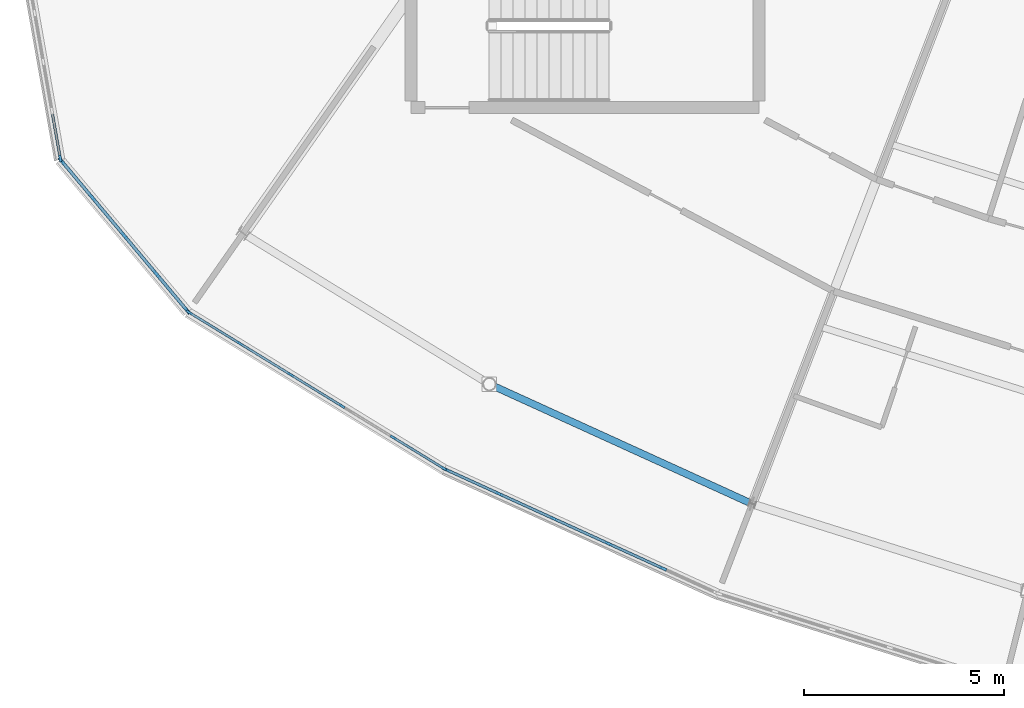
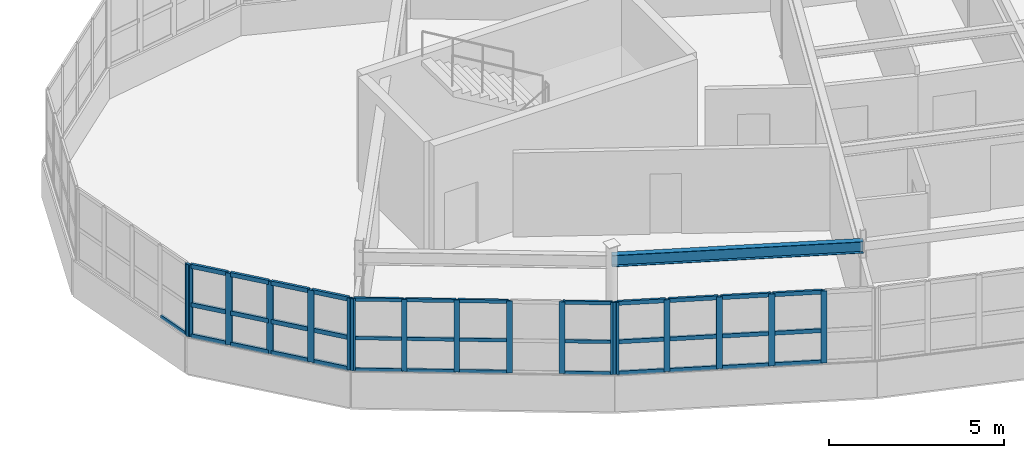
# One storey, part 13 of 65: 54 members, 1 beam, 4 elements without a shape of their own.
"""IFC4 building model written with IfcOpenShell, lengths in metres."""

from ifc_helpers import new_model, si_unit, direction, frame, origin, origin_2d, place, context, subcontext, project, spatial, rectangle, i_section, extrude, material, layer, layer_set, material_profile, profile_set, type_object, element, aggregate, save


model = new_model("IFC4")

# Units and contexts
model_context = context("Model", 3, precision=1e-05, world=origin(), true_north=direction((0.0, 1.0)))
body_context = subcontext(model_context, "Body", "Model", "MODEL_VIEW")
ifc_project = project(units=[si_unit("LENGTHUNIT", "METRE"), si_unit("AREAUNIT", "SQUARE_METRE"), si_unit("VOLUMEUNIT", "CUBIC_METRE"), si_unit("PLANEANGLEUNIT", "RADIAN"), si_unit("MASSUNIT", "GRAM", prefix="KILO")], contexts=[model_context])

# Site, building, storey
site_placement = place(None, origin())
site = spatial("IfcSite", under=ifc_project, at=site_placement, CompositionType="ELEMENT")
building_placement = place(site_placement, origin())
building = spatial("IfcBuilding", under=site, at=building_placement, Name="Tarnwether General Hospital", CompositionType="ELEMENT")
storey_placement = place(building_placement, frame((0.0, 0.0, 22.199951171875)))
storey = spatial("IfcBuildingStorey", under=building, at=storey_placement, Name="L05", CompositionType="ELEMENT", Elevation=22.199951171875)

# Beam
ifc_material_1 = material(Name="Steel Grade 350 (350 MPa)", Category="steel")
ifc_material_profile_1 = material_profile(ifc_material_1, i_section(OverallWidth=0.177978515625, OverallDepth=0.403076171875, WebThickness=0.007568359375, FlangeThickness=0.010986328125, at=origin_2d()), Name="410UB53.7")
ifc_profile_set_1 = profile_set([ifc_material_profile_1], Name="Steel Grade 350 (350 MPa)")
beam_type = type_object("IfcBeamType", Name="BM-SP2", PredefinedType="SPANDREL", material=ifc_profile_set_1)
beam_placement = place(storey_placement, frame((64.20703125, 10.72998046875, 3.358642578125), z_axis=(0.909943842177, -0.414731484316, 0.0), x_axis=(0.414731484316, 0.909943842177, 0.0)))
element("IfcBeam", 1, at=beam_placement, inside=storey, type_object=beam_type, Name="Curved Ward SE Outer Spandrel BMG-L05-6421_1073-7078_773-2172", PredefinedType="SPANDREL", context=body_context, shape_type="SweptSolid", body=[
    extrude(i_section(OverallWidth=0.177978515625, OverallDepth=0.403076171875, WebThickness=0.007568359375, FlangeThickness=0.010986328125, at=origin_2d()), origin(), (0.0, 0.0, 1.0), 7.22900390625),
])

# Curtain wall, members
ifc_material_2 = material(Name="Anodised aluminium", Category="aluminium")
ifc_layer_1 = layer(ifc_material_2, 0.159912109375)
ifc_layer_set_1 = layer_set([ifc_layer_1], Name="Anodised aluminium")
curtain_wall_type_1 = type_object("IfcCurtainWallType", Name="CW-10", PredefinedType="NOTDEFINED", material=ifc_layer_set_1)
curtain_wall_1_placement = place(storey_placement, origin())
curtain_wall_1 = element("IfcCurtainWall", 2, at=curtain_wall_1_placement, inside=storey, type_object=curtain_wall_type_1, Name="Curtain Wall CWG-L05-631_86-0218", PredefinedType="NOTDEFINED")
ifc_material_3 = material(Name="Anodised aluminium", Category="aluminium")
ifc_material_profile_2 = material_profile(ifc_material_3, rectangle(XDim=0.06005859375, YDim=0.159912109375, at=origin_2d()), Name="ALU-MUL-60x160")
ifc_profile_set_2 = profile_set([ifc_material_profile_2], Name="Anodised aluminium")
member_type_1 = type_object("IfcMemberType", Name="CW-ML1", PredefinedType="MULLION", material=ifc_profile_set_2)
member_1_placement = place(storey_placement, frame((63.055419921875, 8.625732421875, 1.050048828125), z_axis=(0.0, 0.0, 1.0), x_axis=(-0.522509056361, -0.852633734977, 0.0)))
member_1 = element("IfcMember", 3, at=member_1_placement, type_object=member_type_1, Name="CW-10 mullion 1", PredefinedType="MULLION", context=body_context, shape_type="SweptSolid", body=[
    extrude(rectangle(XDim=0.06005859375, YDim=0.159912109375, at=origin_2d()), origin(), (0.0, 0.0, 1.0), 2.510009765625),
])
member_2_placement = place(storey_placement, frame((61.79833984375, 9.39599609375, 1.050048828125), z_axis=(0.0, 0.0, 1.0), x_axis=(-0.522509056361, -0.852633734977, 0.0)))
member_2 = element("IfcMember", 4, at=member_2_placement, type_object=member_type_1, Name="CW-10 mullion 2", PredefinedType="MULLION", context=body_context, shape_type="SweptSolid", body=[
    extrude(rectangle(XDim=0.06005859375, YDim=0.159912109375, at=origin_2d()), origin(), (0.0, 0.0, 1.0), 2.510009765625),
])
member_3_placement = place(storey_placement, frame((60.515869140625, 10.181884765625, 1.050048828125), z_axis=(0.0, 0.0, 1.0), x_axis=(-0.522509056361, -0.852633734977, 0.0)))
member_3 = element("IfcMember", 5, at=member_3_placement, type_object=member_type_1, Name="CW-10 mullion 3", PredefinedType="MULLION", context=body_context, shape_type="SweptSolid", body=[
    extrude(rectangle(XDim=0.06005859375, YDim=0.159912109375, at=origin_2d()), origin(), (0.0, 0.0, 1.0), 2.510009765625),
])
member_4_placement = place(storey_placement, frame((59.233154296875, 10.968017578125, 1.050048828125), z_axis=(0.0, 0.0, 1.0), x_axis=(-0.522509056361, -0.852633734977, 0.0)))
member_4 = element("IfcMember", 6, at=member_4_placement, type_object=member_type_1, Name="CW-10 mullion 4", PredefinedType="MULLION", context=body_context, shape_type="SweptSolid", body=[
    extrude(rectangle(XDim=0.06005859375, YDim=0.159912109375, at=origin_2d()), origin(), (0.0, 0.0, 1.0), 2.510009765625),
])
member_5_placement = place(storey_placement, frame((57.95068359375, 11.75390625, 1.050048828125), z_axis=(0.0, 0.0, 1.0), x_axis=(-0.522509056361, -0.852633734977, 0.0)))
member_5 = element("IfcMember", 7, at=member_5_placement, type_object=member_type_1, Name="CW-10 mullion 5", PredefinedType="MULLION", context=body_context, shape_type="SweptSolid", body=[
    extrude(rectangle(XDim=0.06005859375, YDim=0.159912109375, at=origin_2d()), origin(), (0.0, 0.0, 1.0), 2.510009765625),
])
member_6_placement = place(storey_placement, frame((56.693603515625, 12.5244140625, 1.050048828125), z_axis=(0.0, 0.0, 1.0), x_axis=(-0.522509056361, -0.852633734977, 0.0)))
member_6 = element("IfcMember", 8, at=member_6_placement, type_object=member_type_1, Name="CW-10 mullion 6", PredefinedType="MULLION", context=body_context, shape_type="SweptSolid", body=[
    extrude(rectangle(XDim=0.06005859375, YDim=0.159912109375, at=origin_2d()), origin(), (0.0, 0.0, 1.0), 2.510009765625),
])

curtain_wall_2_placement = place(storey_placement, origin())
curtain_wall_2 = element("IfcCurtainWall", 9, at=curtain_wall_2_placement, inside=storey, type_object=curtain_wall_type_1, Name="Curtain Wall CWG-L05-699_55-0219", PredefinedType="NOTDEFINED")
ifc_material_4 = material(Name="Anodised aluminium", Category="aluminium")
ifc_material_profile_3 = material_profile(ifc_material_4, rectangle(XDim=0.070068359375, YDim=0.179931640625, at=origin_2d()), Name="ALU-MUL-70x180")
ifc_profile_set_3 = profile_set([ifc_material_profile_3], Name="Anodised aluminium")
member_type_2 = type_object("IfcMemberType", Name="CW-ML2", PredefinedType="MULLION", material=ifc_profile_set_3)
member_7_placement = place(storey_placement, frame((68.55615234375, 6.11474609375, 1.050048828125), z_axis=(0.0, 0.0, 1.0), x_axis=(-0.414694289316, -0.909960793886, 0.0)))
member_7 = element("IfcMember", 10, at=member_7_placement, type_object=member_type_2, Name="CW-10 mullion 2", PredefinedType="MULLION", context=body_context, shape_type="SweptSolid", body=[
    extrude(rectangle(XDim=0.070068359375, YDim=0.179931640625, at=origin_2d()), origin(), (0.0, 0.0, 1.0), 2.510009765625),
])
member_8_placement = place(storey_placement, frame((67.1875, 6.738525390625, 1.050048828125), z_axis=(0.0, 0.0, 1.0), x_axis=(-0.414694289316, -0.909960793886, 0.0)))
member_8 = element("IfcMember", 11, at=member_8_placement, type_object=member_type_2, Name="CW-10 mullion 3", PredefinedType="MULLION", context=body_context, shape_type="SweptSolid", body=[
    extrude(rectangle(XDim=0.070068359375, YDim=0.179931640625, at=origin_2d()), origin(), (0.0, 0.0, 1.0), 2.510009765625),
])
member_9_placement = place(storey_placement, frame((65.818603515625, 7.3623046875, 1.050048828125), z_axis=(0.0, 0.0, 1.0), x_axis=(-0.414694289316, -0.909960793886, 0.0)))
member_9 = element("IfcMember", 12, at=member_9_placement, type_object=member_type_2, Name="CW-10 mullion 4", PredefinedType="MULLION", context=body_context, shape_type="SweptSolid", body=[
    extrude(rectangle(XDim=0.070068359375, YDim=0.179931640625, at=origin_2d()), origin(), (0.0, 0.0, 1.0), 2.510009765625),
])
member_10_placement = place(storey_placement, frame((64.44970703125, 7.986083984375, 1.050048828125), z_axis=(0.0, 0.0, 1.0), x_axis=(-0.414694289316, -0.909960793886, 0.0)))
member_10 = element("IfcMember", 13, at=member_10_placement, type_object=member_type_2, Name="CW-10 mullion 5", PredefinedType="MULLION", context=body_context, shape_type="SweptSolid", body=[
    extrude(rectangle(XDim=0.070068359375, YDim=0.179931640625, at=origin_2d()), origin(), (0.0, 0.0, 1.0), 2.510009765625),
])
member_11_placement = place(storey_placement, frame((63.11279296875, 8.595458984375, 1.050048828125), z_axis=(0.0, 0.0, 1.0), x_axis=(-0.414694289316, -0.909960793886, 0.0)))
member_11 = element("IfcMember", 14, at=member_11_placement, type_object=member_type_2, Name="CW-10 mullion 6", PredefinedType="MULLION", context=body_context, shape_type="SweptSolid", body=[
    extrude(rectangle(XDim=0.070068359375, YDim=0.179931640625, at=origin_2d()), origin(), (0.0, 0.0, 1.0), 2.510009765625),
])

# Curtain wall, member
ifc_material_5 = material(Name="Anodised aluminium", Category="aluminium")
ifc_layer_2 = layer(ifc_material_5, 0.159912109375)
ifc_layer_set_2 = layer_set([ifc_layer_2], Name="Anodised aluminium")
curtain_wall_type_2 = type_object("IfcCurtainWallType", Name="CW-04", PredefinedType="NOTDEFINED", material=ifc_layer_set_2)
curtain_wall_3_placement = place(storey_placement, origin())
curtain_wall_3 = element("IfcCurtainWall", 15, at=curtain_wall_3_placement, inside=storey, type_object=curtain_wall_type_2, Name="Curtain Wall CWG-L05-535_163-0243", PredefinedType="NOTDEFINED")
ifc_material_6 = material(Name="Anodised aluminium", Category="aluminium")
ifc_material_profile_4 = material_profile(ifc_material_6, rectangle(XDim=0.06494140625, YDim=0.169921875, at=origin_2d()), Name="ALU-MUL-65x170")
ifc_profile_set_4 = profile_set([ifc_material_profile_4], Name="Anodised aluminium")
member_type_3 = type_object("IfcMemberType", Name="CW-ML3", PredefinedType="MULLION", material=ifc_profile_set_4)
member_12_placement = place(storey_placement, frame((53.46728515625, 16.37890625, 1.050048828125), z_axis=(0.0, 0.0, 1.0), x_axis=(-0.984840230098, -0.173463890135, 0.0)))
member_12 = element("IfcMember", 16, at=member_12_placement, type_object=member_type_3, Name="CW-04 mullion 1", PredefinedType="MULLION", context=body_context, shape_type="SweptSolid", body=[
    extrude(rectangle(XDim=0.06494140625, YDim=0.169921875, at=origin_2d()), origin(), (0.0, 0.0, 1.0), 2.510009765625),
])

# Curtain wall, members
curtain_wall_4_placement = place(storey_placement, origin())
curtain_wall_4 = element("IfcCurtainWall", 17, at=curtain_wall_4_placement, inside=storey, type_object=curtain_wall_type_2, Name="Curtain Wall CWG-L05-567_125-0244", PredefinedType="NOTDEFINED")
ifc_material_7 = material(Name="Anodised aluminium", Category="aluminium")
ifc_material_profile_5 = material_profile(ifc_material_7, rectangle(XDim=0.080078125, YDim=0.199951171875, at=origin_2d()), Name="ALU-MUL-80x200")
ifc_profile_set_5 = profile_set([ifc_material_profile_5], Name="Anodised aluminium")
member_type_4 = type_object("IfcMemberType", Name="CW-ML4", PredefinedType="MULLION", material=ifc_profile_set_5)
member_13_placement = place(storey_placement, frame((56.642333984375, 12.570556640625, 1.050048828125), z_axis=(0.0, 0.0, 1.0), x_axis=(-0.765990176896, -0.64285227611, 0.0)))
member_13 = element("IfcMember", 18, at=member_13_placement, type_object=member_type_4, Name="CW-04 mullion 1", PredefinedType="MULLION", context=body_context, shape_type="SweptSolid", body=[
    extrude(rectangle(XDim=0.080078125, YDim=0.199951171875, at=origin_2d()), origin(), (0.0, 0.0, 1.0), 2.510009765625),
])
member_14_placement = place(storey_placement, frame((55.869140625, 13.49169921875, 1.050048828125), z_axis=(0.0, 0.0, 1.0), x_axis=(-0.765990176896, -0.64285227611, 0.0)))
member_14 = element("IfcMember", 19, at=member_14_placement, type_object=member_type_4, Name="CW-04 mullion 2", PredefinedType="MULLION", context=body_context, shape_type="SweptSolid", body=[
    extrude(rectangle(XDim=0.080078125, YDim=0.199951171875, at=origin_2d()), origin(), (0.0, 0.0, 1.0), 2.510009765625),
])
member_15_placement = place(storey_placement, frame((55.070556640625, 14.443603515625, 1.050048828125), z_axis=(0.0, 0.0, 1.0), x_axis=(-0.765990176896, -0.64285227611, 0.0)))
member_15 = element("IfcMember", 20, at=member_15_placement, type_object=member_type_4, Name="CW-04 mullion 3", PredefinedType="MULLION", context=body_context, shape_type="SweptSolid", body=[
    extrude(rectangle(XDim=0.080078125, YDim=0.199951171875, at=origin_2d()), origin(), (0.0, 0.0, 1.0), 2.510009765625),
])
member_16_placement = place(storey_placement, frame((54.271728515625, 15.395263671875, 1.050048828125), z_axis=(0.0, 0.0, 1.0), x_axis=(-0.765990176896, -0.64285227611, 0.0)))
member_16 = element("IfcMember", 21, at=member_16_placement, type_object=member_type_4, Name="CW-04 mullion 4", PredefinedType="MULLION", context=body_context, shape_type="SweptSolid", body=[
    extrude(rectangle(XDim=0.080078125, YDim=0.199951171875, at=origin_2d()), origin(), (0.0, 0.0, 1.0), 2.510009765625),
])
member_17_placement = place(storey_placement, frame((53.498779296875, 16.31640625, 1.050048828125), z_axis=(0.0, 0.0, 1.0), x_axis=(-0.765990176896, -0.64285227611, 0.0)))
member_17 = element("IfcMember", 22, at=member_17_placement, type_object=member_type_4, Name="CW-04 mullion 5", PredefinedType="MULLION", context=body_context, shape_type="SweptSolid", body=[
    extrude(rectangle(XDim=0.080078125, YDim=0.199951171875, at=origin_2d()), origin(), (0.0, 0.0, 1.0), 2.510009765625),
])

# Member
ifc_material_8 = material(Name="Anodised aluminium", Category="aluminium")
ifc_material_profile_6 = material_profile(ifc_material_8, rectangle(XDim=0.06005859375, YDim=0.1201171875, at=origin_2d()), Name="ALU-TRN-60x120")
ifc_profile_set_6 = profile_set([ifc_material_profile_6], Name="Anodised aluminium")
member_type_5 = type_object("IfcMemberType", Name="CW-TR1", PredefinedType="USERDEFINED", material=ifc_profile_set_6)
member_18_placement = place(storey_placement, frame((63.02978515625, 8.641357421875, 1.080078125), z_axis=(-0.852611176426, 0.522545865771, 0.0), x_axis=(-0.522545865771, -0.852611176426, 0.0)))
member_18 = element("IfcMember", 23, at=member_18_placement, type_object=member_type_5, Name="CW-10 transom 1.1", ObjectType="TRANSOM", PredefinedType="USERDEFINED", context=body_context, shape_type="SweptSolid", body=[
    extrude(rectangle(XDim=0.06005859375, YDim=0.1201171875, at=origin_2d()), origin(), (0.0, 0.0, 1.0), 1.414306640625),
])

member_19_placement = place(storey_placement, frame((63.02978515625, 8.641357421875, 2.179443359375), z_axis=(-0.852611176426, 0.522545865771, 0.0), x_axis=(-0.522545865771, -0.852611176426, 0.0)))
member_19 = element("IfcMember", 24, at=member_19_placement, type_object=member_type_5, Name="CW-10 transom 1.2", ObjectType="TRANSOM", PredefinedType="USERDEFINED", context=body_context, shape_type="SweptSolid", body=[
    extrude(rectangle(XDim=0.06005859375, YDim=0.1201171875, at=origin_2d()), origin(), (0.0, 0.0, 1.0), 1.414306640625),
])

member_20_placement = place(storey_placement, frame((63.02978515625, 8.641357421875, 3.530029296875), z_axis=(-0.852611176426, 0.522545865771, 0.0), x_axis=(-0.522545865771, -0.852611176426, 0.0)))
member_20 = element("IfcMember", 25, at=member_20_placement, type_object=member_type_5, Name="CW-10 transom 1.3", ObjectType="TRANSOM", PredefinedType="USERDEFINED", context=body_context, shape_type="SweptSolid", body=[
    extrude(rectangle(XDim=0.06005859375, YDim=0.1201171875, at=origin_2d()), origin(), (0.0, 0.0, 1.0), 1.414306640625),
])

member_21_placement = place(storey_placement, frame((60.490234375, 10.19775390625, 1.080078125), z_axis=(-0.852637692392, 0.52250259857, 0.0), x_axis=(-0.52250259857, -0.852637692392, 0.0)))
member_21 = element("IfcMember", 26, at=member_21_placement, type_object=member_type_5, Name="CW-10 transom 3.1", ObjectType="TRANSOM", PredefinedType="USERDEFINED", context=body_context, shape_type="SweptSolid", body=[
    extrude(rectangle(XDim=0.06005859375, YDim=0.1201171875, at=origin_2d()), origin(), (0.0, 0.0, 1.0), 1.4443359375),
])

member_22_placement = place(storey_placement, frame((60.490234375, 10.19775390625, 2.179443359375), z_axis=(-0.852637692392, 0.52250259857, 0.0), x_axis=(-0.52250259857, -0.852637692392, 0.0)))
member_22 = element("IfcMember", 27, at=member_22_placement, type_object=member_type_5, Name="CW-10 transom 3.2", ObjectType="TRANSOM", PredefinedType="USERDEFINED", context=body_context, shape_type="SweptSolid", body=[
    extrude(rectangle(XDim=0.06005859375, YDim=0.1201171875, at=origin_2d()), origin(), (0.0, 0.0, 1.0), 1.4443359375),
])

member_23_placement = place(storey_placement, frame((60.490234375, 10.19775390625, 3.530029296875), z_axis=(-0.852637692392, 0.52250259857, 0.0), x_axis=(-0.52250259857, -0.852637692392, 0.0)))
member_23 = element("IfcMember", 28, at=member_23_placement, type_object=member_type_5, Name="CW-10 transom 3.3", ObjectType="TRANSOM", PredefinedType="USERDEFINED", context=body_context, shape_type="SweptSolid", body=[
    extrude(rectangle(XDim=0.06005859375, YDim=0.1201171875, at=origin_2d()), origin(), (0.0, 0.0, 1.0), 1.4443359375),
])

member_24_placement = place(storey_placement, frame((59.20751953125, 10.983642578125, 1.080078125), z_axis=(-0.852637692392, 0.52250259857, 0.0), x_axis=(-0.52250259857, -0.852637692392, 0.0)))
member_24 = element("IfcMember", 29, at=member_24_placement, type_object=member_type_5, Name="CW-10 transom 4.1", ObjectType="TRANSOM", PredefinedType="USERDEFINED", context=body_context, shape_type="SweptSolid", body=[
    extrude(rectangle(XDim=0.06005859375, YDim=0.1201171875, at=origin_2d()), origin(), (0.0, 0.0, 1.0), 1.4443359375),
])

member_25_placement = place(storey_placement, frame((59.20751953125, 10.983642578125, 2.179443359375), z_axis=(-0.852637692392, 0.52250259857, 0.0), x_axis=(-0.52250259857, -0.852637692392, 0.0)))
member_25 = element("IfcMember", 30, at=member_25_placement, type_object=member_type_5, Name="CW-10 transom 4.2", ObjectType="TRANSOM", PredefinedType="USERDEFINED", context=body_context, shape_type="SweptSolid", body=[
    extrude(rectangle(XDim=0.06005859375, YDim=0.1201171875, at=origin_2d()), origin(), (0.0, 0.0, 1.0), 1.4443359375),
])

member_26_placement = place(storey_placement, frame((59.20751953125, 10.983642578125, 3.530029296875), z_axis=(-0.852637692392, 0.52250259857, 0.0), x_axis=(-0.52250259857, -0.852637692392, 0.0)))
member_26 = element("IfcMember", 31, at=member_26_placement, type_object=member_type_5, Name="CW-10 transom 4.3", ObjectType="TRANSOM", PredefinedType="USERDEFINED", context=body_context, shape_type="SweptSolid", body=[
    extrude(rectangle(XDim=0.06005859375, YDim=0.1201171875, at=origin_2d()), origin(), (0.0, 0.0, 1.0), 1.4443359375),
])

member_27_placement = place(storey_placement, frame((57.925048828125, 11.769775390625, 1.080078125), z_axis=(-0.852688084945, 0.522420357369, 0.0), x_axis=(-0.522420357369, -0.852688084945, 0.0)))
member_27 = element("IfcMember", 32, at=member_27_placement, type_object=member_type_5, Name="CW-10 transom 5.1", ObjectType="TRANSOM", PredefinedType="USERDEFINED", context=body_context, shape_type="SweptSolid", body=[
    extrude(rectangle(XDim=0.06005859375, YDim=0.1201171875, at=origin_2d()), origin(), (0.0, 0.0, 1.0), 1.4140625),
])

member_28_placement = place(storey_placement, frame((57.925048828125, 11.769775390625, 2.179443359375), z_axis=(-0.852688084945, 0.522420357369, 0.0), x_axis=(-0.522420357369, -0.852688084945, 0.0)))
member_28 = element("IfcMember", 33, at=member_28_placement, type_object=member_type_5, Name="CW-10 transom 5.2", ObjectType="TRANSOM", PredefinedType="USERDEFINED", context=body_context, shape_type="SweptSolid", body=[
    extrude(rectangle(XDim=0.06005859375, YDim=0.1201171875, at=origin_2d()), origin(), (0.0, 0.0, 1.0), 1.4140625),
])

member_29_placement = place(storey_placement, frame((57.925048828125, 11.769775390625, 3.530029296875), z_axis=(-0.852688084945, 0.522420357369, 0.0), x_axis=(-0.522420357369, -0.852688084945, 0.0)))
member_29 = element("IfcMember", 34, at=member_29_placement, type_object=member_type_5, Name="CW-10 transom 5.3", ObjectType="TRANSOM", PredefinedType="USERDEFINED", context=body_context, shape_type="SweptSolid", body=[
    extrude(rectangle(XDim=0.06005859375, YDim=0.1201171875, at=origin_2d()), origin(), (0.0, 0.0, 1.0), 1.4140625),
])

aggregate(curtain_wall_1, [member_1, member_2, member_3, member_4, member_5, member_6, member_18, member_19, member_20, member_21, member_22, member_23, member_24, member_25, member_26, member_27, member_28, member_29])

ifc_material_9 = material(Name="Anodised aluminium", Category="aluminium")
ifc_material_profile_7 = material_profile(ifc_material_9, rectangle(XDim=0.070068359375, YDim=0.139892578125, at=origin_2d()), Name="ALU-TRN-70x140")
ifc_profile_set_7 = profile_set([ifc_material_profile_7], Name="Anodised aluminium")
member_type_6 = type_object("IfcMemberType", Name="CW-TR2", PredefinedType="USERDEFINED", material=ifc_profile_set_7)
member_30_placement = place(storey_placement, frame((68.5244140625, 6.12939453125, 1.0849609375), z_axis=(-0.909981346388, 0.414649188141, 0.0), x_axis=(-0.414649188141, -0.909981346388, 0.0)))
member_30 = element("IfcMember", 35, at=member_30_placement, type_object=member_type_6, Name="CW-10 transom 2.1", ObjectType="TRANSOM", PredefinedType="USERDEFINED", context=body_context, shape_type="SweptSolid", body=[
    extrude(rectangle(XDim=0.070068359375, YDim=0.139892578125, at=origin_2d()), origin(), (0.0, 0.0, 1.0), 1.434326171875),
])

member_31_placement = place(storey_placement, frame((68.5244140625, 6.12939453125, 2.179443359375), z_axis=(-0.909981346388, 0.414649188141, 0.0), x_axis=(-0.414649188141, -0.909981346388, 0.0)))
member_31 = element("IfcMember", 36, at=member_31_placement, type_object=member_type_6, Name="CW-10 transom 2.2", ObjectType="TRANSOM", PredefinedType="USERDEFINED", context=body_context, shape_type="SweptSolid", body=[
    extrude(rectangle(XDim=0.070068359375, YDim=0.139892578125, at=origin_2d()), origin(), (0.0, 0.0, 1.0), 1.434326171875),
])

member_32_placement = place(storey_placement, frame((68.5244140625, 6.12939453125, 3.525146484375), z_axis=(-0.909981346388, 0.414649188141, 0.0), x_axis=(-0.414649188141, -0.909981346388, 0.0)))
member_32 = element("IfcMember", 37, at=member_32_placement, type_object=member_type_6, Name="CW-10 transom 2.3", ObjectType="TRANSOM", PredefinedType="USERDEFINED", context=body_context, shape_type="SweptSolid", body=[
    extrude(rectangle(XDim=0.070068359375, YDim=0.139892578125, at=origin_2d()), origin(), (0.0, 0.0, 1.0), 1.434326171875),
])

member_33_placement = place(storey_placement, frame((67.155517578125, 6.753173828125, 1.0849609375), z_axis=(-0.909981346388, 0.414649188141, 0.0), x_axis=(-0.414649188141, -0.909981346388, 0.0)))
member_33 = element("IfcMember", 38, at=member_33_placement, type_object=member_type_6, Name="CW-10 transom 3.1", ObjectType="TRANSOM", PredefinedType="USERDEFINED", context=body_context, shape_type="SweptSolid", body=[
    extrude(rectangle(XDim=0.070068359375, YDim=0.139892578125, at=origin_2d()), origin(), (0.0, 0.0, 1.0), 1.434326171875),
])

member_34_placement = place(storey_placement, frame((67.155517578125, 6.753173828125, 2.179443359375), z_axis=(-0.909981346388, 0.414649188141, 0.0), x_axis=(-0.414649188141, -0.909981346388, 0.0)))
member_34 = element("IfcMember", 39, at=member_34_placement, type_object=member_type_6, Name="CW-10 transom 3.2", ObjectType="TRANSOM", PredefinedType="USERDEFINED", context=body_context, shape_type="SweptSolid", body=[
    extrude(rectangle(XDim=0.070068359375, YDim=0.139892578125, at=origin_2d()), origin(), (0.0, 0.0, 1.0), 1.434326171875),
])

member_35_placement = place(storey_placement, frame((67.155517578125, 6.753173828125, 3.525146484375), z_axis=(-0.909981346388, 0.414649188141, 0.0), x_axis=(-0.414649188141, -0.909981346388, 0.0)))
member_35 = element("IfcMember", 40, at=member_35_placement, type_object=member_type_6, Name="CW-10 transom 3.3", ObjectType="TRANSOM", PredefinedType="USERDEFINED", context=body_context, shape_type="SweptSolid", body=[
    extrude(rectangle(XDim=0.070068359375, YDim=0.139892578125, at=origin_2d()), origin(), (0.0, 0.0, 1.0), 1.434326171875),
])

member_36_placement = place(storey_placement, frame((65.786865234375, 7.376953125, 1.0849609375), z_axis=(-0.909981346388, 0.414649188141, 0.0), x_axis=(-0.414649188141, -0.909981346388, 0.0)))
member_36 = element("IfcMember", 41, at=member_36_placement, type_object=member_type_6, Name="CW-10 transom 4.1", ObjectType="TRANSOM", PredefinedType="USERDEFINED", context=body_context, shape_type="SweptSolid", body=[
    extrude(rectangle(XDim=0.070068359375, YDim=0.139892578125, at=origin_2d()), origin(), (0.0, 0.0, 1.0), 1.434326171875),
])

member_37_placement = place(storey_placement, frame((65.786865234375, 7.376953125, 2.179443359375), z_axis=(-0.909981346388, 0.414649188141, 0.0), x_axis=(-0.414649188141, -0.909981346388, 0.0)))
member_37 = element("IfcMember", 42, at=member_37_placement, type_object=member_type_6, Name="CW-10 transom 4.2", ObjectType="TRANSOM", PredefinedType="USERDEFINED", context=body_context, shape_type="SweptSolid", body=[
    extrude(rectangle(XDim=0.070068359375, YDim=0.139892578125, at=origin_2d()), origin(), (0.0, 0.0, 1.0), 1.434326171875),
])

member_38_placement = place(storey_placement, frame((65.786865234375, 7.376953125, 3.525146484375), z_axis=(-0.909981346388, 0.414649188141, 0.0), x_axis=(-0.414649188141, -0.909981346388, 0.0)))
member_38 = element("IfcMember", 43, at=member_38_placement, type_object=member_type_6, Name="CW-10 transom 4.3", ObjectType="TRANSOM", PredefinedType="USERDEFINED", context=body_context, shape_type="SweptSolid", body=[
    extrude(rectangle(XDim=0.070068359375, YDim=0.139892578125, at=origin_2d()), origin(), (0.0, 0.0, 1.0), 1.434326171875),
])

member_39_placement = place(storey_placement, frame((64.41796875, 8.000732421875, 1.0849609375), z_axis=(-0.909935750091, 0.414749238344, 0.0), x_axis=(-0.414749238344, -0.909935750091, 0.0)))
member_39 = element("IfcMember", 44, at=member_39_placement, type_object=member_type_6, Name="CW-10 transom 5.1", ObjectType="TRANSOM", PredefinedType="USERDEFINED", context=body_context, shape_type="SweptSolid", body=[
    extrude(rectangle(XDim=0.070068359375, YDim=0.139892578125, at=origin_2d()), origin(), (0.0, 0.0, 1.0), 1.399169921875),
])

member_40_placement = place(storey_placement, frame((64.41796875, 8.000732421875, 2.179443359375), z_axis=(-0.909935750091, 0.414749238344, 0.0), x_axis=(-0.414749238344, -0.909935750091, 0.0)))
member_40 = element("IfcMember", 45, at=member_40_placement, type_object=member_type_6, Name="CW-10 transom 5.2", ObjectType="TRANSOM", PredefinedType="USERDEFINED", context=body_context, shape_type="SweptSolid", body=[
    extrude(rectangle(XDim=0.070068359375, YDim=0.139892578125, at=origin_2d()), origin(), (0.0, 0.0, 1.0), 1.399169921875),
])

member_41_placement = place(storey_placement, frame((64.41796875, 8.000732421875, 3.525146484375), z_axis=(-0.909935750091, 0.414749238344, 0.0), x_axis=(-0.414749238344, -0.909935750091, 0.0)))
member_41 = element("IfcMember", 46, at=member_41_placement, type_object=member_type_6, Name="CW-10 transom 5.3", ObjectType="TRANSOM", PredefinedType="USERDEFINED", context=body_context, shape_type="SweptSolid", body=[
    extrude(rectangle(XDim=0.070068359375, YDim=0.139892578125, at=origin_2d()), origin(), (0.0, 0.0, 1.0), 1.399169921875),
])

aggregate(curtain_wall_2, [member_7, member_8, member_9, member_10, member_11, member_30, member_31, member_32, member_33, member_34, member_35, member_36, member_37, member_38, member_39, member_40, member_41])

ifc_material_10 = material(Name="Anodised aluminium", Category="aluminium")
ifc_material_profile_8 = material_profile(ifc_material_10, rectangle(XDim=0.06494140625, YDim=0.1298828125, at=origin_2d()), Name="ALU-TRN-65x130")
ifc_profile_set_8 = profile_set([ifc_material_profile_8], Name="Anodised aluminium")
member_type_7 = type_object("IfcMemberType", Name="CW-TR3", PredefinedType="USERDEFINED", material=ifc_profile_set_8)
member_42_placement = place(storey_placement, frame((53.461669921875, 16.4111328125, 1.08251953125), z_axis=(-0.173383838773, 0.984854326513, 0.0), x_axis=(-0.984854326513, -0.173383838773, 0.0)))
member_42 = element("IfcMember", 47, at=member_42_placement, type_object=member_type_7, Name="CW-04 transom 1.1", ObjectType="TRANSOM", PredefinedType="USERDEFINED", context=body_context, shape_type="SweptSolid", body=[
    extrude(rectangle(XDim=0.06494140625, YDim=0.1298828125, at=origin_2d()), origin(), (0.0, 0.0, 1.0), 1.144775390625),
])

aggregate(curtain_wall_3, [member_12, member_42])

ifc_material_11 = material(Name="Anodised aluminium", Category="aluminium")
ifc_material_profile_9 = material_profile(ifc_material_11, rectangle(XDim=0.080078125, YDim=0.14990234375, at=origin_2d()), Name="ALU-TRN-80x150")
ifc_profile_set_9 = profile_set([ifc_material_profile_9], Name="Anodised aluminium")
member_type_8 = type_object("IfcMemberType", Name="CW-TR4", PredefinedType="USERDEFINED", material=ifc_profile_set_9)
member_43_placement = place(storey_placement, frame((56.616455078125, 12.601318359375, 1.090087890625), z_axis=(-0.642748180301, 0.766077526572, 0.0), x_axis=(-0.766077526572, -0.642748180301, 0.0)))
member_43 = element("IfcMember", 48, at=member_43_placement, type_object=member_type_8, Name="CW-04 transom 1.1", ObjectType="TRANSOM", PredefinedType="USERDEFINED", context=body_context, shape_type="SweptSolid", body=[
    extrude(rectangle(XDim=0.080078125, YDim=0.14990234375, at=origin_2d()), origin(), (0.0, 0.0, 1.0), 1.122314453125),
])

member_44_placement = place(storey_placement, frame((56.616455078125, 12.601318359375, 2.179443359375), z_axis=(-0.642748180301, 0.766077526572, 0.0), x_axis=(-0.766077526572, -0.642748180301, 0.0)))
member_44 = element("IfcMember", 49, at=member_44_placement, type_object=member_type_8, Name="CW-04 transom 1.2", ObjectType="TRANSOM", PredefinedType="USERDEFINED", context=body_context, shape_type="SweptSolid", body=[
    extrude(rectangle(XDim=0.080078125, YDim=0.14990234375, at=origin_2d()), origin(), (0.0, 0.0, 1.0), 1.122314453125),
])

member_45_placement = place(storey_placement, frame((56.616455078125, 12.601318359375, 3.52001953125), z_axis=(-0.642748180301, 0.766077526572, 0.0), x_axis=(-0.766077526572, -0.642748180301, 0.0)))
member_45 = element("IfcMember", 50, at=member_45_placement, type_object=member_type_8, Name="CW-04 transom 1.3", ObjectType="TRANSOM", PredefinedType="USERDEFINED", context=body_context, shape_type="SweptSolid", body=[
    extrude(rectangle(XDim=0.080078125, YDim=0.14990234375, at=origin_2d()), origin(), (0.0, 0.0, 1.0), 1.122314453125),
])

member_46_placement = place(storey_placement, frame((55.843505859375, 13.5224609375, 1.090087890625), z_axis=(-0.642886651766, 0.765961326035, 0.0), x_axis=(-0.765961326035, -0.642886651766, 0.0)))
member_46 = element("IfcMember", 51, at=member_46_placement, type_object=member_type_8, Name="CW-04 transom 2.1", ObjectType="TRANSOM", PredefinedType="USERDEFINED", context=body_context, shape_type="SweptSolid", body=[
    extrude(rectangle(XDim=0.080078125, YDim=0.14990234375, at=origin_2d()), origin(), (0.0, 0.0, 1.0), 1.162353515625),
])

member_47_placement = place(storey_placement, frame((55.843505859375, 13.5224609375, 2.179443359375), z_axis=(-0.642886651766, 0.765961326035, 0.0), x_axis=(-0.765961326035, -0.642886651766, 0.0)))
member_47 = element("IfcMember", 52, at=member_47_placement, type_object=member_type_8, Name="CW-04 transom 2.2", ObjectType="TRANSOM", PredefinedType="USERDEFINED", context=body_context, shape_type="SweptSolid", body=[
    extrude(rectangle(XDim=0.080078125, YDim=0.14990234375, at=origin_2d()), origin(), (0.0, 0.0, 1.0), 1.162353515625),
])

member_48_placement = place(storey_placement, frame((55.843505859375, 13.5224609375, 3.52001953125), z_axis=(-0.642886651766, 0.765961326035, 0.0), x_axis=(-0.765961326035, -0.642886651766, 0.0)))
member_48 = element("IfcMember", 53, at=member_48_placement, type_object=member_type_8, Name="CW-04 transom 2.3", ObjectType="TRANSOM", PredefinedType="USERDEFINED", context=body_context, shape_type="SweptSolid", body=[
    extrude(rectangle(XDim=0.080078125, YDim=0.14990234375, at=origin_2d()), origin(), (0.0, 0.0, 1.0), 1.162353515625),
])

member_49_placement = place(storey_placement, frame((55.044677734375, 14.47412109375, 1.090087890625), z_axis=(-0.642886651766, 0.765961326035, 0.0), x_axis=(-0.765961326035, -0.642886651766, 0.0)))
member_49 = element("IfcMember", 54, at=member_49_placement, type_object=member_type_8, Name="CW-04 transom 3.1", ObjectType="TRANSOM", PredefinedType="USERDEFINED", context=body_context, shape_type="SweptSolid", body=[
    extrude(rectangle(XDim=0.080078125, YDim=0.14990234375, at=origin_2d()), origin(), (0.0, 0.0, 1.0), 1.162353515625),
])

member_50_placement = place(storey_placement, frame((55.044677734375, 14.47412109375, 2.179443359375), z_axis=(-0.642886651766, 0.765961326035, 0.0), x_axis=(-0.765961326035, -0.642886651766, 0.0)))
member_50 = element("IfcMember", 55, at=member_50_placement, type_object=member_type_8, Name="CW-04 transom 3.2", ObjectType="TRANSOM", PredefinedType="USERDEFINED", context=body_context, shape_type="SweptSolid", body=[
    extrude(rectangle(XDim=0.080078125, YDim=0.14990234375, at=origin_2d()), origin(), (0.0, 0.0, 1.0), 1.162353515625),
])

member_51_placement = place(storey_placement, frame((55.044677734375, 14.47412109375, 3.52001953125), z_axis=(-0.642886651766, 0.765961326035, 0.0), x_axis=(-0.765961326035, -0.642886651766, 0.0)))
member_51 = element("IfcMember", 56, at=member_51_placement, type_object=member_type_8, Name="CW-04 transom 3.3", ObjectType="TRANSOM", PredefinedType="USERDEFINED", context=body_context, shape_type="SweptSolid", body=[
    extrude(rectangle(XDim=0.080078125, YDim=0.14990234375, at=origin_2d()), origin(), (0.0, 0.0, 1.0), 1.162353515625),
])

member_52_placement = place(storey_placement, frame((54.24609375, 15.42578125, 1.090087890625), z_axis=(-0.642875805885, 0.765970429069, 0.0), x_axis=(-0.765970429069, -0.642875805885, 0.0)))
member_52 = element("IfcMember", 57, at=member_52_placement, type_object=member_type_8, Name="CW-04 transom 4.1", ObjectType="TRANSOM", PredefinedType="USERDEFINED", context=body_context, shape_type="SweptSolid", body=[
    extrude(rectangle(XDim=0.080078125, YDim=0.14990234375, at=origin_2d()), origin(), (0.0, 0.0, 1.0), 1.12255859375),
])

member_53_placement = place(storey_placement, frame((54.24609375, 15.42578125, 2.179443359375), z_axis=(-0.642875805885, 0.765970429069, 0.0), x_axis=(-0.765970429069, -0.642875805885, 0.0)))
member_53 = element("IfcMember", 58, at=member_53_placement, type_object=member_type_8, Name="CW-04 transom 4.2", ObjectType="TRANSOM", PredefinedType="USERDEFINED", context=body_context, shape_type="SweptSolid", body=[
    extrude(rectangle(XDim=0.080078125, YDim=0.14990234375, at=origin_2d()), origin(), (0.0, 0.0, 1.0), 1.12255859375),
])

member_54_placement = place(storey_placement, frame((54.24609375, 15.42578125, 3.52001953125), z_axis=(-0.642875805885, 0.765970429069, 0.0), x_axis=(-0.765970429069, -0.642875805885, 0.0)))
member_54 = element("IfcMember", 59, at=member_54_placement, type_object=member_type_8, Name="CW-04 transom 4.3", ObjectType="TRANSOM", PredefinedType="USERDEFINED", context=body_context, shape_type="SweptSolid", body=[
    extrude(rectangle(XDim=0.080078125, YDim=0.14990234375, at=origin_2d()), origin(), (0.0, 0.0, 1.0), 1.12255859375),
])

aggregate(curtain_wall_4, [member_13, member_14, member_15, member_16, member_17, member_43, member_44, member_45, member_46, member_47, member_48, member_49, member_50, member_51, member_52, member_53, member_54])

save(model, "model.ifc")
